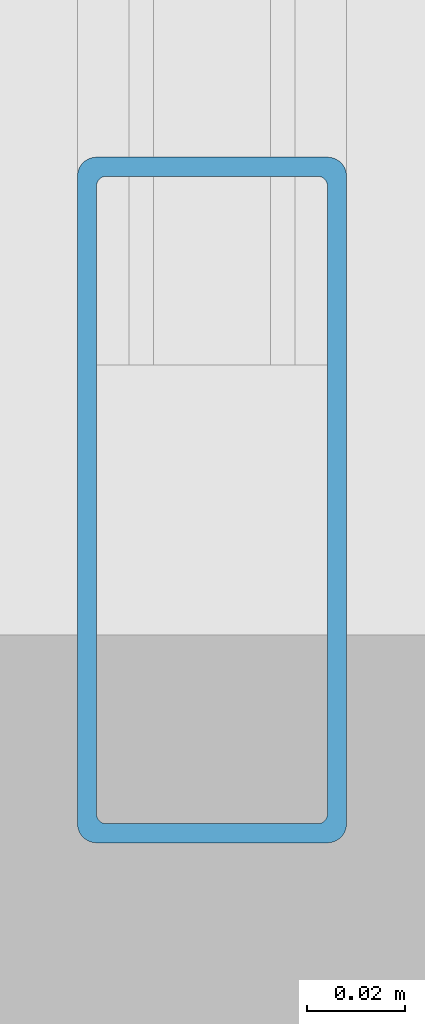
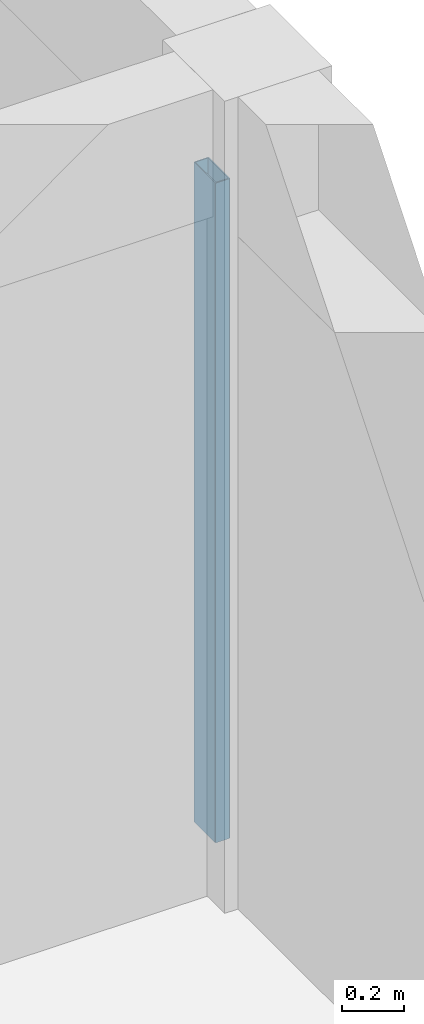
# One storey, part 8 of 45: 1 member, 1 element without a shape of its own.
"""IFC4 building model written with IfcOpenShell, lengths in metres."""

from ifc_helpers import new_model, si_unit, direction, frame, origin, origin_2d, place, context, subcontext, project, spatial, hollow_rectangle, extrude, material, material_profile, profile_set, type_object, element, aggregate, save


model = new_model("IFC4")

# Units and contexts
model_context = context("Model", 3, precision=1e-05, world=origin(), true_north=direction((0.0, 1.0)))
body_context = subcontext(model_context, "Body", "Model", "MODEL_VIEW")
ifc_project = project(units=[si_unit("LENGTHUNIT", "METRE"), si_unit("AREAUNIT", "SQUARE_METRE"), si_unit("VOLUMEUNIT", "CUBIC_METRE"), si_unit("PLANEANGLEUNIT", "RADIAN"), si_unit("MASSUNIT", "GRAM", prefix="KILO")], contexts=[model_context])

# Site, building, storey
site_placement = place(None, origin())
site = spatial("IfcSite", under=ifc_project, at=site_placement, CompositionType="ELEMENT")
building_placement = place(site_placement, origin())
building = spatial("IfcBuilding", under=site, at=building_placement, Name="Kernevlak Ridge Housing Community", CompositionType="ELEMENT")
storey_placement = place(building_placement, frame((0.0, 0.0, 14.800048828125)))
storey = spatial("IfcBuildingStorey", under=building, at=storey_placement, Name="L04", CompositionType="ELEMENT", Elevation=14.800048828125)

# Curtain wall, member
ifc_material_1 = material(Name="Aluminium EN AW-6060 anodised and laminated glass", Category="aluminium")
curtain_wall_type = type_object("IfcCurtainWallType", Name="CW-02", PredefinedType="NOTDEFINED", material=ifc_material_1)
curtain_wall_placement = place(storey_placement, origin())
curtain_wall = element("IfcCurtainWall", 1, at=curtain_wall_placement, inside=storey, type_object=curtain_wall_type, Name="Curtain wall CW-02 CW-L04-153", PredefinedType="NOTDEFINED")
ifc_material_2 = material(Name="Aluminium EN AW-6060 anodised", Category="aluminium")
ifc_material_profile = material_profile(ifc_material_2, hollow_rectangle(XDim=0.054931640625, YDim=0.139892578125, WallThickness=0.00390625, InnerFilletRadius=0.001953125, OuterFilletRadius=0.00390625, at=origin_2d()), Name="ALU 55x140x4")
ifc_profile_set = profile_set([ifc_material_profile], Name="Aluminium EN AW-6060 anodised")
member_type = type_object("IfcMemberType", Name="MU-01", PredefinedType="MULLION", material=ifc_profile_set)
member_placement = place(storey_placement, frame((42.0, 22.427490234375, 0.0), z_axis=(0.0, 0.0, 1.0), x_axis=(-1.0, 0.0, 0.0)))
member = element("IfcMember", 2, at=member_placement, type_object=member_type, Name="CW-02 mullion 1", PredefinedType="MULLION", context=body_context, shape_type="SweptSolid", body=[
    extrude(hollow_rectangle(XDim=0.054931640625, YDim=0.139892578125, WallThickness=0.00390625, InnerFilletRadius=0.001953125, OuterFilletRadius=0.00390625, at=origin_2d()), origin(), (0.0, 0.0, 1.0), 2.599853515625),
])
aggregate(curtain_wall, [member])

save(model, "model.ifc")
